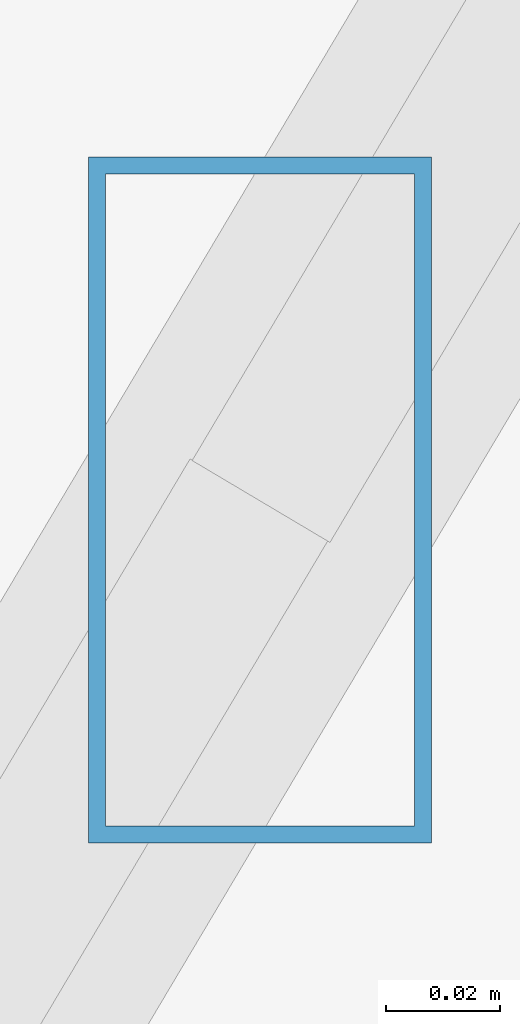
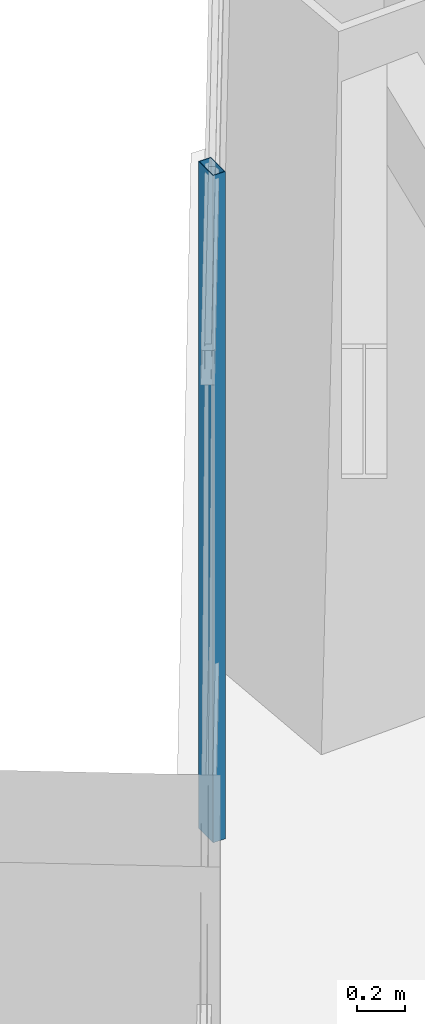
# One storey, part 33 of 49: 1 member, 1 element without a shape of its own.
"""IFC4 building model written with IfcOpenShell, lengths in metres."""

from ifc_helpers import new_model, si_unit, direction, frame, origin, origin_2d, place, context, subcontext, project, spatial, hollow_rectangle, extrude, source, transform, mapped, material, material_profile, profile_set, type_object, type_shapes, element, aggregate, save


model = new_model("IFC4")

# Units and contexts
model_context = context("Model", 3, precision=1e-05, world=origin(), true_north=direction((0.0, 1.0)))
body_context = subcontext(model_context, "Body", "Model", "MODEL_VIEW")
ifc_project = project(units=[si_unit("LENGTHUNIT", "METRE"), si_unit("AREAUNIT", "SQUARE_METRE"), si_unit("VOLUMEUNIT", "CUBIC_METRE"), si_unit("PLANEANGLEUNIT", "RADIAN"), si_unit("MASSUNIT", "GRAM", prefix="KILO")], contexts=[model_context])

# Site, building, storey
site_placement = place(None, origin())
site = spatial("IfcSite", under=ifc_project, at=site_placement, CompositionType="ELEMENT")
building_placement = place(site_placement, origin())
building = spatial("IfcBuilding", under=site, at=building_placement, Name="Caelisora Broadcast Tower", CompositionType="ELEMENT")
storey_placement = place(building_placement, frame((0.0, 0.0, 233.5)))
storey = spatial("IfcBuildingStorey", under=building, at=storey_placement, Name="L61", CompositionType="ELEMENT", Elevation=233.5)

# Curtain wall, member
ifc_material_1 = material(Name="Unitised Aluminium and Low-E Glass Curtain Wall", Category="glass")
curtain_wall_type = type_object("IfcCurtainWallType", Name="CW-Z5", PredefinedType="NOTDEFINED", material=ifc_material_1)
curtain_wall_placement = place(storey_placement, origin())
curtain_wall = element("IfcCurtainWall", 1, at=curtain_wall_placement, inside=storey, type_object=curtain_wall_type, Name="L61 curtain wall CW-Z5", PredefinedType="NOTDEFINED")
ifc_material_2 = material(Name="Aluminium 6063-T6 Anodised Terracotta Bronze", Category="aluminium")
ifc_material_profile = material_profile(ifc_material_2, hollow_rectangle(XDim=0.06005859375, YDim=0.1201171875, WallThickness=0.0029296875, at=origin_2d()), Name="Aluminium 6063-T6 Anodised Terracotta Bronze")
ifc_profile_set = profile_set([ifc_material_profile], Name="Aluminium 6063-T6 Anodised Terracotta Bronze")
member_type = type_object("IfcMemberType", Name="CWM-04", PredefinedType="MULLION", material=ifc_profile_set)
shared_shape = source(origin(), body_context, "Body", "SweptSolid", [
    extrude(hollow_rectangle(XDim=0.06005859375, YDim=0.1201171875, WallThickness=0.0029296875, at=origin_2d()), origin(), (0.0, 0.0, 1.0), 3.39990234375),
])
type_shapes(member_type, [shared_shape])
member_placement = place(storey_placement, frame((32.561767578125, 45.949951171875, 0.0), z_axis=(0.0, 0.0, 1.0), x_axis=(1.0, 0.0, 0.0)))
member = element("IfcMember", 2, at=member_placement, type_object=member_type, Name="L61-CW-B11 mullion #2", PredefinedType="MULLION", context=body_context, shape_type="MappedRepresentation", body=[
    mapped(shared_shape, transform((0.0, 0.0, 0.0), scale=1.0)),
])
aggregate(curtain_wall, [member])

save(model, "model.ifc")
